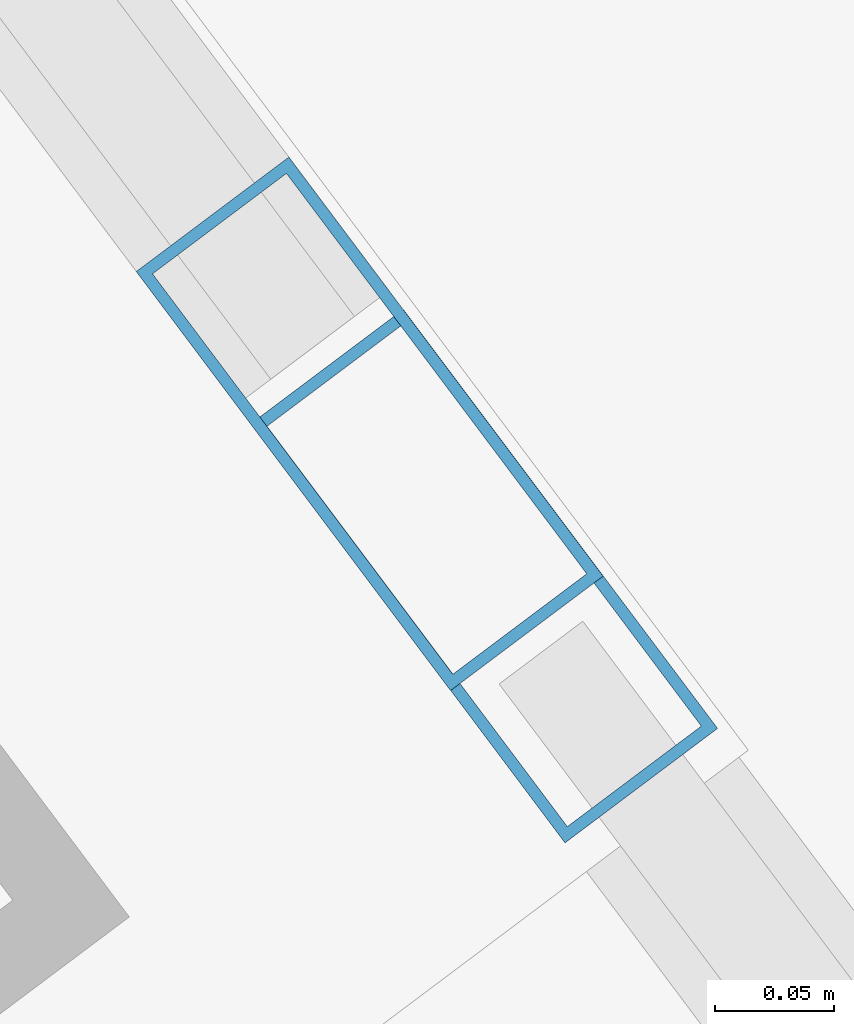
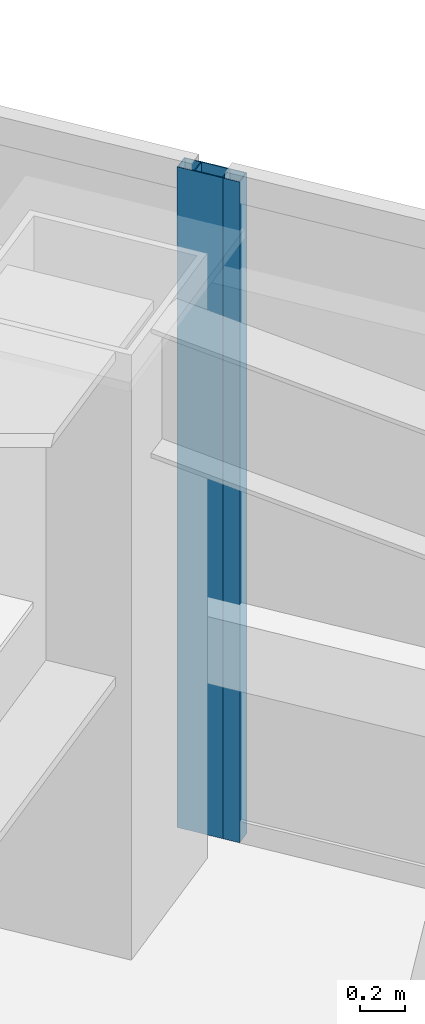
# One storey, part 34 of 49: 2 members, 2 elements without a shape of their own.
"""IFC4 building model written with IfcOpenShell, lengths in metres."""

import ifcopenshell
import ifcopenshell.guid

model = None  # the IFC model being written
_history = None  # IfcOwnerHistory: only IFC2X3 demands one
_inside = {}  # id of a spatial element -> (the spatial element, [elements in it])
_under = {}  # id of a project, library or spatial element -> (it, [spatial elements below it])
_declared = {}  # id of a project -> (the project, [libraries it declares])
_typed = {}  # id of a type object -> (the type object, [elements of that type])
_made_of = {}  # id of a material, layer set ... -> (it, [elements and type objects made of it])


def new_model(schema):
    """Start an empty IFC model of exactly this schema.

    Asked for "IFC4X3", IfcOpenShell would pick the latest addendum, in which some entities
    have other attributes; the version numbers below select the first issue.
    IFC2X3 requires an IfcOwnerHistory on every rooted entity: one is made here for all.
    """
    global model, _history
    if schema == "IFC4X3":
        model = ifcopenshell.file(schema_version=(4, 3, 0, 0))
    else:
        model = ifcopenshell.file(schema=schema)
    _inside.clear()
    _under.clear()
    _declared.clear()
    _typed.clear()
    _made_of.clear()
    _history = None
    if model.schema == "IFC2X3":
        org = make("IfcOrganization", Name="unknown")
        user = make(
            "IfcPersonAndOrganization",
            ThePerson=make("IfcPerson", FamilyName="unknown"),
            TheOrganization=org,
        )
        app = make(
            "IfcApplication",
            ApplicationDeveloper=org,
            Version="unknown",
            ApplicationFullName="unknown",
            ApplicationIdentifier="unknown",
        )
        _history = make(
            "IfcOwnerHistory",
            OwningUser=user,
            OwningApplication=app,
            ChangeAction="ADDED",
            CreationDate=0,
        )
    return model


def make(cls, **values):
    """One entity of the class cls with the attributes given. An attribute that is None is left unset."""
    return model.create_entity(
        cls, **{name: value for name, value in values.items() if value is not None}
    )


def rooted(cls, **values):
    """An entity with a GlobalId (a new one), such as an element, a storey or a relation."""
    return make(cls, GlobalId=ifcopenshell.guid.new(), OwnerHistory=_history, **values)


def si_unit(unit_type, name, prefix=None):
    """IfcSIUnit, for example si_unit("LENGTHUNIT", "METRE", prefix="MILLI")."""
    return make("IfcSIUnit", UnitType=unit_type, Prefix=prefix, Name=name)


def assignment(units):
    """IfcUnitAssignment: the units of a project."""
    return None if units is None else make("IfcUnitAssignment", Units=units)


def point(xyz):
    """IfcCartesianPoint."""
    return None if xyz is None else make("IfcCartesianPoint", Coordinates=xyz)


def direction(xyz):
    """IfcDirection."""
    return None if xyz is None else make("IfcDirection", DirectionRatios=xyz)


def frame(location, z_axis=None, x_axis=None):
    """IfcAxis2Placement3D, a coordinate frame: its origin and axes. An axis left out is left unset."""
    return make(
        "IfcAxis2Placement3D",
        Location=point(location),
        Axis=direction(z_axis),
        RefDirection=direction(x_axis),
    )


def frame_2d(location, x_axis=None):
    """IfcAxis2Placement2D, a coordinate frame in the plane: its origin and x axis."""
    return make(
        "IfcAxis2Placement2D", Location=point(location), RefDirection=direction(x_axis)
    )


def origin():
    """The frame at (0, 0, 0) with its axes left unset."""
    return frame((0.0, 0.0, 0.0))


def origin_2d():
    """The frame at (0, 0) in the plane with its x axis left unset."""
    return frame_2d((0.0, 0.0))


def place(relative_to, where):
    """IfcLocalPlacement: puts the frame where relative to a parent placement (None: the world)."""
    return make(
        "IfcLocalPlacement", PlacementRelTo=relative_to, RelativePlacement=where
    )


def context(
    kind, dimensions, precision=None, world=None, true_north=None, identifier=None
):
    """IfcGeometricRepresentationContext, for example the 3D "Model" context."""
    return make(
        "IfcGeometricRepresentationContext",
        ContextIdentifier=identifier,
        ContextType=kind,
        CoordinateSpaceDimension=dimensions,
        Precision=precision,
        WorldCoordinateSystem=world,
        TrueNorth=true_north,
    )


def subcontext(parent, identifier, kind, view, scale=None):
    """IfcGeometricRepresentationSubContext, for example "Body" below "Model"."""
    return make(
        "IfcGeometricRepresentationSubContext",
        ContextIdentifier=identifier,
        ContextType=kind,
        ParentContext=parent,
        TargetScale=scale,
        TargetView=view,
    )


def project(units=None, contexts=None):
    """IfcProject with its units and contexts."""
    return rooted(
        "IfcProject",
        Name="project",
        RepresentationContexts=contexts,
        UnitsInContext=assignment(units),
    )


def spatial(cls, under=None, at=None, **own):
    """A site, building, storey or space (cls), placed at a placement, below another one or the project."""
    s = rooted(cls, ObjectPlacement=at, **own)
    if under is not None:
        _under.setdefault(under.id(), (under, []))[1].append(s)
    return s


def profile(cls, at=None, kind="AREA", **sizes):
    """A parametric profile (cls). Its sizes go by their IFC names, for example OverallWidth=200.0."""
    return make(cls, ProfileType=kind, Position=at, **sizes)


def hollow_rectangle(**sizes):
    """IfcRectangleHollowProfileDef."""
    return profile("IfcRectangleHollowProfileDef", **sizes)


def extrude(swept, where, along, depth):
    """IfcExtrudedAreaSolid: the profile swept, set in the frame where, extruded along a direction by depth."""
    return make(
        "IfcExtrudedAreaSolid",
        SweptArea=swept,
        Position=where,
        ExtrudedDirection=direction(along),
        Depth=depth,
    )


def shape(context_of_items, identifier, shape_type, items):
    """IfcShapeRepresentation: the items that make up one representation, for example the "Body"."""
    return make(
        "IfcShapeRepresentation",
        ContextOfItems=context_of_items,
        RepresentationIdentifier=identifier,
        RepresentationType=shape_type,
        Items=items,
    )


def material(Name=None, Category=None):
    """IfcMaterial."""
    return make("IfcMaterial", Name=Name, Category=Category)


def material_profile(
    of_material, cross_section, Name=None, Category=None, Priority=None
):
    """IfcMaterialProfile: a cross section and its material."""
    return make(
        "IfcMaterialProfile",
        Name=Name,
        Material=of_material,
        Profile=cross_section,
        Priority=Priority,
        Category=Category,
    )


def profile_set(profiles, Name=None, composite=None):
    """IfcMaterialProfileSet."""
    return make(
        "IfcMaterialProfileSet",
        Name=Name,
        MaterialProfiles=profiles,
        CompositeProfile=composite,
    )


def made_of(thing, what):
    """Note that an element or type object is made of a material, layer set ...; save() writes the relation."""
    if what is not None:
        _made_of.setdefault(what.id(), (what, []))[1].append(thing)
    return thing


def type_object(cls, material=None, **own):
    """A type object (cls), such as IfcWallType, which elements share."""
    return made_of(rooted(cls, **own), material)


def element(
    cls,
    number,
    at=None,
    inside=None,
    cuts=None,
    type_object=None,
    material=None,
    context=None,
    identifier="Body",
    shape_type=None,
    held_by="IfcProductDefinitionShape",
    body=None,
    shapes=None,
    **own,
):
    """One element of the class cls, such as IfcWall. Its Tag is "e" and its number.

    at: its placement. inside: the storey or other place that contains it. cuts: it is an
    opening in that element (IfcRelVoidsElement). A single representation is given by context,
    identifier, shape_type and body (its items); several are given by shapes. held_by: the class
    of the entity that holds the representations. save() writes the other relations.
    """
    e = rooted(cls, Tag="e%d" % number, ObjectPlacement=at, **own)
    if body is not None:
        shapes = [shape(context, identifier, shape_type, body)]
    if shapes is not None:
        e.Representation = make(held_by, Representations=shapes)
    if inside is not None:
        _inside.setdefault(inside.id(), (inside, []))[1].append(e)
    if cuts is not None:
        rooted(
            "IfcRelVoidsElement", RelatingBuildingElement=cuts, RelatedOpeningElement=e
        )
    if type_object is not None:
        _typed.setdefault(type_object.id(), (type_object, []))[1].append(e)
    return made_of(e, material)


def aggregate(whole, parts):
    """IfcRelAggregates: a whole, such as a stair, and the parts it consists of."""
    return rooted("IfcRelAggregates", RelatingObject=whole, RelatedObjects=parts)


def save(model, path):
    """Write the relations noted so far, then the file.

    IfcRelAggregates (storeys below a building ...), IfcRelContainedInSpatialStructure (elements
    in a storey), IfcRelDefinesByType, IfcRelAssociatesMaterial and IfcRelDeclares: one each for
    every whole, place, type object, material and project.
    """
    for whole, parts in _under.values():
        aggregate(whole, parts)
    for where, things in _inside.values():
        rooted(
            "IfcRelContainedInSpatialStructure",
            RelatedElements=things,
            RelatingStructure=where,
        )
    for kind, things in _typed.values():
        rooted("IfcRelDefinesByType", RelatedObjects=things, RelatingType=kind)
    for what, things in _made_of.values():
        rooted("IfcRelAssociatesMaterial", RelatedObjects=things, RelatingMaterial=what)
    for by, libraries in _declared.values():
        rooted("IfcRelDeclares", RelatingContext=by, RelatedDefinitions=libraries)
    model.write(path)


model = new_model("IFC4")

# Units and contexts
model_context = context("Model", 3, precision=1e-05, world=origin(), true_north=direction((0.0, 1.0)))
body_context = subcontext(model_context, "Body", "Model", "MODEL_VIEW")
ifc_project = project(units=[si_unit("LENGTHUNIT", "METRE"), si_unit("AREAUNIT", "SQUARE_METRE"), si_unit("VOLUMEUNIT", "CUBIC_METRE"), si_unit("PLANEANGLEUNIT", "RADIAN"), si_unit("MASSUNIT", "GRAM", prefix="KILO")], contexts=[model_context])

# Site, building, storey
site_placement = place(None, origin())
site = spatial("IfcSite", under=ifc_project, at=site_placement, CompositionType="ELEMENT")
building_placement = place(site_placement, origin())
building = spatial("IfcBuilding", under=site, at=building_placement, Name="Tashvorn Skyway Center", CompositionType="ELEMENT")
storey_placement = place(building_placement, frame((0.0, 0.0, 106.25)))
storey = spatial("IfcBuildingStorey", under=building, at=storey_placement, Name="L28", CompositionType="ELEMENT", Elevation=106.25)

# Curtain wall, member
ifc_material = material(Name="Thermally broken bronze-anodized aluminium 6063-T6", Category="aluminium")
curtain_wall_type = type_object("IfcCurtainWallType", Name="CW-CW-Z2", PredefinedType="NOTDEFINED", material=ifc_material)
curtain_wall_1_placement = place(storey_placement, origin())
curtain_wall_1 = element("IfcCurtainWall", 1, at=curtain_wall_1_placement, inside=storey, type_object=curtain_wall_type, Name="Tower 2 L28 East Unitised Curtain Wall Glazing Group 3", PredefinedType="NOTDEFINED")
ifc_material_profile = material_profile(ifc_material, hollow_rectangle(XDim=0.080078125, YDim=0.219970703125, WallThickness=0.0048828125, at=origin_2d()), Name="ALU-MULL-80x220")
ifc_profile_set = profile_set([ifc_material_profile], Name="Thermally broken bronze-anodized aluminium 6063-T6")
member_type = type_object("IfcMemberType", Name="CWM-CW-Z2", PredefinedType="MULLION", material=ifc_profile_set)
member_1_placement = place(storey_placement, frame((133.3359375, 39.35205078125, 0.0), z_axis=(0.0, 0.0, 1.0), x_axis=(0.799999999998, 0.600000000002, 0.0)))
member_1 = element("IfcMember", 2, at=member_1_placement, type_object=member_type, Name="CW-Z2 mullion 2", PredefinedType="MULLION", context=body_context, shape_type="SweptSolid", body=[
    extrude(hollow_rectangle(XDim=0.080078125, YDim=0.219970703125, WallThickness=0.0048828125, at=origin_2d()), origin(), (0.0, 0.0, 1.0), 3.550048828125),
])
aggregate(curtain_wall_1, [member_1])

curtain_wall_2_placement = place(storey_placement, origin())
curtain_wall_2 = element("IfcCurtainWall", 3, at=curtain_wall_2_placement, inside=storey, type_object=curtain_wall_type, Name="Tower 2 L28 East Unitised Curtain Wall Glazing Group 4", PredefinedType="NOTDEFINED")
member_2_placement = place(storey_placement, frame((133.384033203125, 39.2880859375, 0.0), z_axis=(0.0, 0.0, 1.0), x_axis=(0.799999999998, 0.600000000002, 0.0)))
member_2 = element("IfcMember", 4, at=member_2_placement, type_object=member_type, Name="CW-Z2 mullion 1", PredefinedType="MULLION", context=body_context, shape_type="SweptSolid", body=[
    extrude(hollow_rectangle(XDim=0.080078125, YDim=0.219970703125, WallThickness=0.0048828125, at=origin_2d()), origin(), (0.0, 0.0, 1.0), 3.550048828125),
])
aggregate(curtain_wall_2, [member_2])

save(model, "model.ifc")
